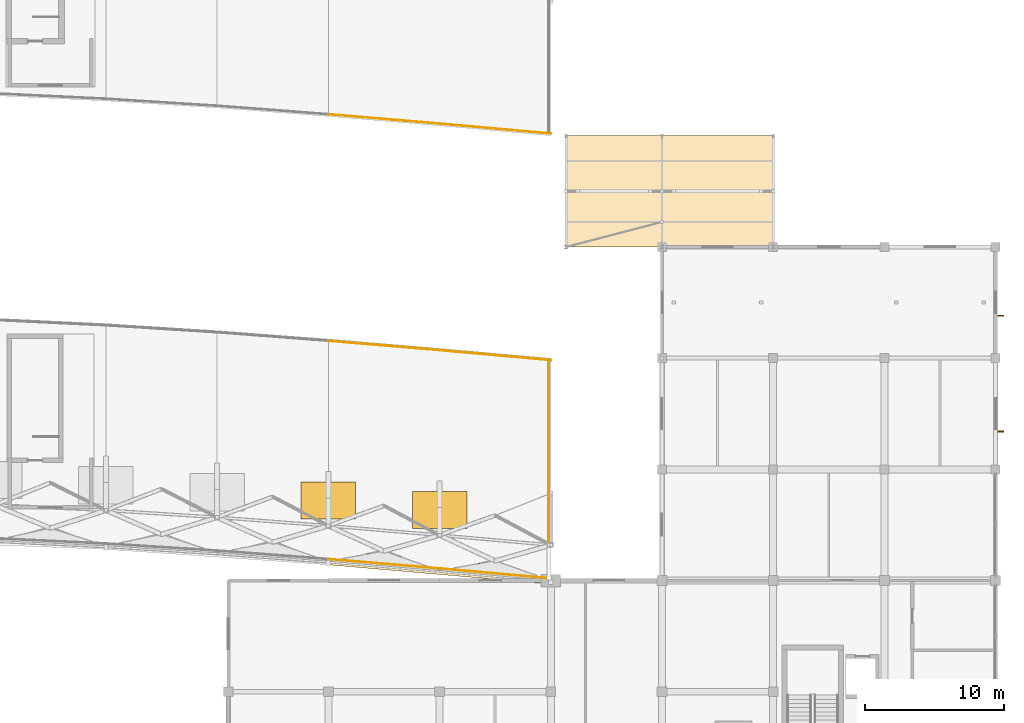
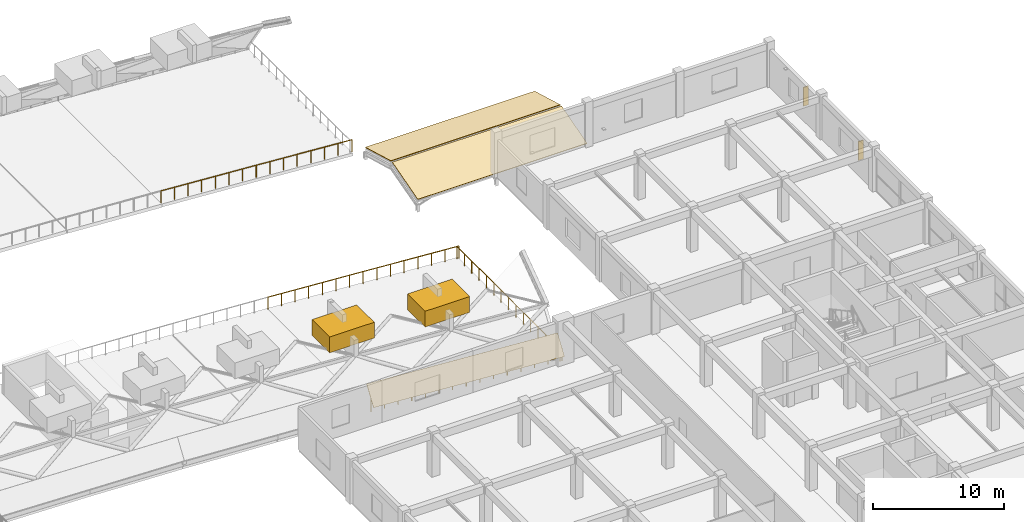
# One storey, part 66 of 67: 4 railings, 4 shading devices, 3 coverings.
"""IFC4 building model written with IfcOpenShell, lengths in metres."""

from ifc_helpers import new_model, si_unit, direction, frame, origin, origin_2d, place, context, subcontext, project, spatial, polyline, rectangle, circle, outline, extrude, material, layer, layer_set, type_object, element, save


model = new_model("IFC4")

# Units and contexts
model_context = context("Model", 3, precision=1e-05, world=origin(), true_north=direction((0.0, 1.0)))
body_context = subcontext(model_context, "Body", "Model", "MODEL_VIEW")
ifc_project = project(units=[si_unit("LENGTHUNIT", "METRE"), si_unit("AREAUNIT", "SQUARE_METRE"), si_unit("VOLUMEUNIT", "CUBIC_METRE"), si_unit("PLANEANGLEUNIT", "RADIAN"), si_unit("MASSUNIT", "GRAM", prefix="KILO")], contexts=[model_context])

# Site, building, storey
site_placement = place(None, origin())
site = spatial("IfcSite", under=ifc_project, at=site_placement, CompositionType="ELEMENT")
building_placement = place(site_placement, origin())
building = spatial("IfcBuilding", under=site, at=building_placement, Name="Kenh Van Central Station", CompositionType="ELEMENT")
storey_placement = place(building_placement, frame((0.0, 0.0, 10.800048828125)))
storey = spatial("IfcBuildingStorey", under=building, at=storey_placement, Name="L02", CompositionType="ELEMENT", Elevation=10.800048828125)

# Coverings
ifc_material_1 = material(Name="Standing-seam zinc-aluminium roofing", Category="aluminium")
ifc_layer_1 = layer(ifc_material_1, 0.044921875, Name="Standing-seam zinc-aluminium roofing")
ifc_layer_set_1 = layer_set([ifc_layer_1], Name="Standing-seam zinc-aluminium roofing")
covering_type_1 = type_object("IfcCoveringType", Name="COV-ROOF-SEAM", PredefinedType="ROOFING", material=ifc_layer_set_1)
covering_1_placement = place(storey_placement, frame((128.0, 65.12841796875, 0.614990234375), z_axis=(-0.071946943803, -0.829104081069, 0.554445723251), x_axis=(0.996256030684, -0.086451843971, 0.0)))
element("IfcCovering", 1, at=covering_1_placement, inside=storey, type_object=covering_type_1, Name="Train shed springing curb roofing S7", PredefinedType="ROOFING", context=body_context, shape_type="SweptSolid", body=[
    extrude(outline(polyline([(0.0, 0.0), (16.06012862879939, -1.1102230246251565e-16), (15.968864523982095, 1.896870414067549), (-0.09126410481729474, 1.896870414067549), (0.0, 0.0)])), origin(), (0.0, 0.0, -1.0), 0.044921875),
])
covering_2_placement = place(storey_placement, frame((145.10009765625, 88.0, 0.139892578125), z_axis=(0.0, -0.271488785727, 0.96244160302), x_axis=(1.0, 0.0, 0.0)))
element("IfcCovering", 2, at=covering_2_placement, inside=storey, type_object=covering_type_1, Name="L02 pitched roof covering 23", PredefinedType="ROOFING", context=body_context, shape_type="SweptSolid", body=[
    extrude(outline(polyline([(0.0, 0.0), (14.89990234375, 0.0), (14.89990234375, 4.0520924402182), (0.0, 4.0520924402182), (0.0, 0.0)])), origin(), (0.0, 0.0, -1.0), 0.044921875),
])
ifc_material_2 = material(Name="Glazed terracotta roof tile", Category="masonry")
ifc_layer_2 = layer(ifc_material_2, 0.054931640625, Name="Glazed terracotta roof tile")
ifc_layer_set_2 = layer_set([ifc_layer_2], Name="Glazed terracotta roof tile")
covering_type_2 = type_object("IfcCoveringType", Name="COV-ROOF-TERRA", PredefinedType="ROOFING", material=ifc_layer_set_2)
covering_3_placement = place(storey_placement, frame((145.10009765625, 92.10009765625, 1.239990234375), z_axis=(0.0, 0.271488785727, 0.96244160302), x_axis=(1.0, 0.0, 0.0)))
element("IfcCovering", 3, at=covering_3_placement, inside=storey, type_object=covering_type_2, Name="L02 pitched roof covering 24", PredefinedType="ROOFING", context=body_context, shape_type="SweptSolid", body=[
    extrude(outline(polyline([(0.0, 0.0), (14.89990234375, 0.0), (14.89990234375, 4.0520924402182), (0.0, 4.0520924402182), (0.0, 0.0)])), origin(), (0.0, 0.0, -1.0), 0.054931640625),
])

# Railings
ifc_material_3 = material(Name="Champagne anodised aluminium", Category="aluminium")
railing_type = type_object("IfcRailingType", Name="RAIL-TERR-GRD115", PredefinedType="GUARDRAIL", material=ifc_material_3)
railing_1_placement = place(storey_placement, frame((128.0, 65.538330078125, 0.0)))
element("IfcRailing", 4, at=railing_1_placement, inside=storey, type_object=railing_type, Name="L02 platform perimeter guardrail 07", PredefinedType="GUARDRAIL", context=body_context, shape_type="SweptSolid", body=[
    extrude(circle(Radius=0.02392578125, at=origin_2d()), frame((0.0, 0.0, 1.1259765625), z_axis=(0.996446063383, -0.084233264025, 0.0), x_axis=(0.084233264025, 0.996446063383, 0.0)), (0.0, 0.0, 1.0), 8.028564453125),
    extrude(circle(Radius=0.02392578125, at=origin_2d()), frame((8.0, -0.67626953125, 1.1259765625), z_axis=(0.99606113461, -0.088669138478, 0.0), x_axis=(0.088669138478, 0.99606113461, 0.0)), (0.0, 0.0, 1.0), 8.03173828125),
    extrude(circle(Radius=0.02099609375, at=origin_2d()), origin(), (0.0, 0.0, 1.0), 1.101806640625),
    extrude(circle(Radius=0.02099609375, at=origin_2d()), frame((1.142822265625, -0.0966796875, 0.0)), (0.0, 0.0, 1.0), 1.101806640625),
    extrude(circle(Radius=0.02099609375, at=origin_2d()), frame((2.28564453125, -0.193115234375, 0.0)), (0.0, 0.0, 1.0), 1.101806640625),
    extrude(circle(Radius=0.02099609375, at=origin_2d()), frame((3.428466796875, -0.289794921875, 0.0)), (0.0, 0.0, 1.0), 1.101806640625),
    extrude(circle(Radius=0.02099609375, at=origin_2d()), frame((4.571533203125, -0.386474609375, 0.0)), (0.0, 0.0, 1.0), 1.101806640625),
    extrude(circle(Radius=0.02099609375, at=origin_2d()), frame((5.71435546875, -0.483154296875, 0.0)), (0.0, 0.0, 1.0), 1.101806640625),
    extrude(circle(Radius=0.02099609375, at=origin_2d()), frame((6.857177734375, -0.57958984375, 0.0)), (0.0, 0.0, 1.0), 1.101806640625),
    extrude(circle(Radius=0.02099609375, at=origin_2d()), frame((8.0, -0.67626953125, 0.0)), (0.0, 0.0, 1.0), 1.101806640625),
    extrude(circle(Radius=0.02099609375, at=origin_2d()), frame((9.142822265625, -0.778076171875, 0.0)), (0.0, 0.0, 1.0), 1.101806640625),
    extrude(circle(Radius=0.02099609375, at=origin_2d()), frame((10.28564453125, -0.879638671875, 0.0)), (0.0, 0.0, 1.0), 1.101806640625),
    extrude(circle(Radius=0.02099609375, at=origin_2d()), frame((11.428466796875, -0.9814453125, 0.0)), (0.0, 0.0, 1.0), 1.101806640625),
    extrude(circle(Radius=0.02099609375, at=origin_2d()), frame((12.571533203125, -1.083251953125, 0.0)), (0.0, 0.0, 1.0), 1.101806640625),
    extrude(circle(Radius=0.02099609375, at=origin_2d()), frame((13.71435546875, -1.18505859375, 0.0)), (0.0, 0.0, 1.0), 1.101806640625),
    extrude(circle(Radius=0.02099609375, at=origin_2d()), frame((14.857177734375, -1.28662109375, 0.0)), (0.0, 0.0, 1.0), 1.101806640625),
    extrude(circle(Radius=0.02099609375, at=origin_2d()), frame((16.0, -1.388427734375, 0.0)), (0.0, 0.0, 1.0), 1.101806640625),
])
railing_2_placement = place(storey_placement, frame((128.0, 81.23828125, 0.0)))
element("IfcRailing", 5, at=railing_2_placement, inside=storey, type_object=railing_type, Name="L02 platform perimeter guardrail 14", PredefinedType="GUARDRAIL", context=body_context, shape_type="SweptSolid", body=[
    extrude(circle(Radius=0.02392578125, at=origin_2d()), frame((0.0, 0.0, 1.1259765625), z_axis=(0.996446063383, -0.084233264025, 0.0), x_axis=(0.084233264025, 0.996446063383, 0.0)), (0.0, 0.0, 1.0), 8.028564453125),
    extrude(circle(Radius=0.02392578125, at=origin_2d()), frame((8.0, -0.67626953125, 1.1259765625), z_axis=(0.996063818854, -0.088638979974, 0.0), x_axis=(0.088638979974, 0.996063818854, 0.0)), (0.0, 0.0, 1.0), 8.031494140625),
    extrude(circle(Radius=0.02099609375, at=origin_2d()), origin(), (0.0, 0.0, 1.0), 1.101806640625),
    extrude(circle(Radius=0.02099609375, at=origin_2d()), frame((1.142822265625, -0.0966796875, 0.0)), (0.0, 0.0, 1.0), 1.101806640625),
    extrude(circle(Radius=0.02099609375, at=origin_2d()), frame((2.28564453125, -0.193115234375, 0.0)), (0.0, 0.0, 1.0), 1.101806640625),
    extrude(circle(Radius=0.02099609375, at=origin_2d()), frame((3.428466796875, -0.289794921875, 0.0)), (0.0, 0.0, 1.0), 1.101806640625),
    extrude(circle(Radius=0.02099609375, at=origin_2d()), frame((4.571533203125, -0.386474609375, 0.0)), (0.0, 0.0, 1.0), 1.101806640625),
    extrude(circle(Radius=0.02099609375, at=origin_2d()), frame((5.71435546875, -0.483154296875, 0.0)), (0.0, 0.0, 1.0), 1.101806640625),
    extrude(circle(Radius=0.02099609375, at=origin_2d()), frame((6.857177734375, -0.57958984375, 0.0)), (0.0, 0.0, 1.0), 1.101806640625),
    extrude(circle(Radius=0.02099609375, at=origin_2d()), frame((8.0, -0.67626953125, 0.0)), (0.0, 0.0, 1.0), 1.101806640625),
    extrude(circle(Radius=0.02099609375, at=origin_2d()), frame((9.142822265625, -0.778076171875, 0.0)), (0.0, 0.0, 1.0), 1.101806640625),
    extrude(circle(Radius=0.02099609375, at=origin_2d()), frame((10.28564453125, -0.879638671875, 0.0)), (0.0, 0.0, 1.0), 1.101806640625),
    extrude(circle(Radius=0.02099609375, at=origin_2d()), frame((11.428466796875, -0.9814453125, 0.0)), (0.0, 0.0, 1.0), 1.101806640625),
    extrude(circle(Radius=0.02099609375, at=origin_2d()), frame((12.571533203125, -1.0830078125, 0.0)), (0.0, 0.0, 1.0), 1.101806640625),
    extrude(circle(Radius=0.02099609375, at=origin_2d()), frame((13.71435546875, -1.184814453125, 0.0)), (0.0, 0.0, 1.0), 1.101806640625),
    extrude(circle(Radius=0.02099609375, at=origin_2d()), frame((14.857177734375, -1.286376953125, 0.0)), (0.0, 0.0, 1.0), 1.101806640625),
    extrude(circle(Radius=0.02099609375, at=origin_2d()), frame((16.0, -1.38818359375, 0.0)), (0.0, 0.0, 1.0), 1.101806640625),
])
railing_3_placement = place(storey_placement, frame((128.0, 97.538330078125, 0.0)))
element("IfcRailing", 6, at=railing_3_placement, inside=storey, type_object=railing_type, Name="L02 platform perimeter guardrail 21", PredefinedType="GUARDRAIL", context=body_context, shape_type="SweptSolid", body=[
    extrude(circle(Radius=0.02392578125, at=origin_2d()), frame((0.0, 0.0, 1.1259765625), z_axis=(0.996446063383, -0.084233264025, 0.0), x_axis=(0.084233264025, 0.996446063383, 0.0)), (0.0, 0.0, 1.0), 8.028564453125),
    extrude(circle(Radius=0.02392578125, at=origin_2d()), frame((8.0, -0.67626953125, 1.1259765625), z_axis=(0.99606113461, -0.088669138478, 0.0), x_axis=(0.088669138478, 0.99606113461, 0.0)), (0.0, 0.0, 1.0), 8.03173828125),
    extrude(circle(Radius=0.02099609375, at=origin_2d()), origin(), (0.0, 0.0, 1.0), 1.101806640625),
    extrude(circle(Radius=0.02099609375, at=origin_2d()), frame((1.142822265625, -0.0966796875, 0.0)), (0.0, 0.0, 1.0), 1.101806640625),
    extrude(circle(Radius=0.02099609375, at=origin_2d()), frame((2.28564453125, -0.193115234375, 0.0)), (0.0, 0.0, 1.0), 1.101806640625),
    extrude(circle(Radius=0.02099609375, at=origin_2d()), frame((3.428466796875, -0.289794921875, 0.0)), (0.0, 0.0, 1.0), 1.101806640625),
    extrude(circle(Radius=0.02099609375, at=origin_2d()), frame((4.571533203125, -0.386474609375, 0.0)), (0.0, 0.0, 1.0), 1.101806640625),
    extrude(circle(Radius=0.02099609375, at=origin_2d()), frame((5.71435546875, -0.483154296875, 0.0)), (0.0, 0.0, 1.0), 1.101806640625),
    extrude(circle(Radius=0.02099609375, at=origin_2d()), frame((6.857177734375, -0.57958984375, 0.0)), (0.0, 0.0, 1.0), 1.101806640625),
    extrude(circle(Radius=0.02099609375, at=origin_2d()), frame((8.0, -0.67626953125, 0.0)), (0.0, 0.0, 1.0), 1.101806640625),
    extrude(circle(Radius=0.02099609375, at=origin_2d()), frame((9.142822265625, -0.778076171875, 0.0)), (0.0, 0.0, 1.0), 1.101806640625),
    extrude(circle(Radius=0.02099609375, at=origin_2d()), frame((10.28564453125, -0.879638671875, 0.0)), (0.0, 0.0, 1.0), 1.101806640625),
    extrude(circle(Radius=0.02099609375, at=origin_2d()), frame((11.428466796875, -0.9814453125, 0.0)), (0.0, 0.0, 1.0), 1.101806640625),
    extrude(circle(Radius=0.02099609375, at=origin_2d()), frame((12.571533203125, -1.083251953125, 0.0)), (0.0, 0.0, 1.0), 1.101806640625),
    extrude(circle(Radius=0.02099609375, at=origin_2d()), frame((13.71435546875, -1.18505859375, 0.0)), (0.0, 0.0, 1.0), 1.101806640625),
    extrude(circle(Radius=0.02099609375, at=origin_2d()), frame((14.857177734375, -1.28662109375, 0.0)), (0.0, 0.0, 1.0), 1.101806640625),
    extrude(circle(Radius=0.02099609375, at=origin_2d()), frame((16.0, -1.388427734375, 0.0)), (0.0, 0.0, 1.0), 1.101806640625),
])
railing_4_placement = place(storey_placement, frame((143.85009765625, 64.16357421875, 0.0)))
element("IfcRailing", 7, at=railing_4_placement, inside=storey, type_object=railing_type, Name="L02 platform end guardrail 31", PredefinedType="GUARDRAIL", context=body_context, shape_type="SweptSolid", body=[
    extrude(circle(Radius=0.02392578125, at=origin_2d()), frame((0.0, 0.0, 1.1259765625), z_axis=(0.0, 1.0, 0.0), x_axis=(-1.0, 0.0, 0.0)), (0.0, 0.0, 1.0), 15.699951171875),
    extrude(circle(Radius=0.02099609375, at=origin_2d()), origin(), (0.0, 0.0, 1.0), 1.101806640625),
    extrude(circle(Radius=0.02099609375, at=origin_2d()), frame((0.0, 1.121337890625, 0.0)), (0.0, 0.0, 1.0), 1.101806640625),
    extrude(circle(Radius=0.02099609375, at=origin_2d()), frame((0.0, 2.242919921875, 0.0)), (0.0, 0.0, 1.0), 1.101806640625),
    extrude(circle(Radius=0.02099609375, at=origin_2d()), frame((0.0, 3.3642578125, 0.0)), (0.0, 0.0, 1.0), 1.101806640625),
    extrude(circle(Radius=0.02099609375, at=origin_2d()), frame((0.0, 4.485595703125, 0.0)), (0.0, 0.0, 1.0), 1.101806640625),
    extrude(circle(Radius=0.02099609375, at=origin_2d()), frame((0.0, 5.607177734375, 0.0)), (0.0, 0.0, 1.0), 1.101806640625),
    extrude(circle(Radius=0.02099609375, at=origin_2d()), frame((0.0, 6.728515625, 0.0)), (0.0, 0.0, 1.0), 1.101806640625),
    extrude(circle(Radius=0.02099609375, at=origin_2d()), frame((0.0, 7.85009765625, 0.0)), (0.0, 0.0, 1.0), 1.101806640625),
    extrude(circle(Radius=0.02099609375, at=origin_2d()), frame((0.0, 8.971435546875, 0.0)), (0.0, 0.0, 1.0), 1.101806640625),
    extrude(circle(Radius=0.02099609375, at=origin_2d()), frame((0.0, 10.0927734375, 0.0)), (0.0, 0.0, 1.0), 1.101806640625),
    extrude(circle(Radius=0.02099609375, at=origin_2d()), frame((0.0, 11.21435546875, 0.0)), (0.0, 0.0, 1.0), 1.101806640625),
    extrude(circle(Radius=0.02099609375, at=origin_2d()), frame((0.0, 12.335693359375, 0.0)), (0.0, 0.0, 1.0), 1.101806640625),
    extrude(circle(Radius=0.02099609375, at=origin_2d()), frame((0.0, 13.45703125, 0.0)), (0.0, 0.0, 1.0), 1.101806640625),
    extrude(circle(Radius=0.02099609375, at=origin_2d()), frame((0.0, 14.57861328125, 0.0)), (0.0, 0.0, 1.0), 1.101806640625),
    extrude(circle(Radius=0.02099609375, at=origin_2d()), frame((0.0, 15.699951171875, 0.0)), (0.0, 0.0, 1.0), 1.101806640625),
])

# Shading devices
ifc_material_4 = material(Name="Precast concrete C40/50", Category="concrete")
shading_device_type_1 = type_object("IfcShadingDeviceType", Name="SHD-FIN-SHT", PredefinedType="SHUTTER", material=ifc_material_4)
for number, where, z_axis, x_axis, name in (
    (8, (176.3798828125, 74.719970703125, 0.949951171875), (0.0, 0.0, 1.0), (1.0, 0.0, 0.0), "L02 vertical brise-soleil fin 009"),
    (9, (176.3701171875, 83.044921875, 0.949951171875), (0.0, 0.0, 1.0), (1.0, 0.0, 0.0), "L02 vertical brise-soleil fin 010"),
):
    element("IfcShadingDevice", number, at=place(storey_placement, frame(where, z_axis=z_axis, x_axis=x_axis)), inside=storey, type_object=shading_device_type_1, Name=name, PredefinedType="SHUTTER", context=body_context, shape_type="SweptSolid", body=[
        extrude(rectangle(XDim=0.449951171875, YDim=0.080078125, at=origin_2d()), origin(), (0.0, 0.0, 1.0), 1.75),
    ])
shading_device_type_2 = type_object("IfcShadingDeviceType", Name="SHD-LOUVRE-JAL", PredefinedType="JALOUSIE", material=ifc_material_3)
for number, where, z_axis, x_axis, name in (
    (10, (128.0, 69.75146484375, 4.421875), (0.0, 0.0, 1.0), (1.0, 0.0, 0.0), "Vault monsoon ventilation louvre 47"),
    (11, (136.0, 69.077392578125, 4.421875), (0.0, 0.0, 1.0), (1.0, 0.0, 0.0), "Vault monsoon ventilation louvre 50"),
):
    element("IfcShadingDevice", number, at=place(storey_placement, frame(where, z_axis=z_axis, x_axis=x_axis)), inside=storey, type_object=shading_device_type_2, Name=name, PredefinedType="JALOUSIE", context=body_context, shape_type="SweptSolid", body=[
        extrude(rectangle(XDim=3.919921875, YDim=2.67626953125, at=origin_2d()), origin(), (0.0, 0.0, 1.0), 1.466796875),
    ])

save(model, "model.ifc")
